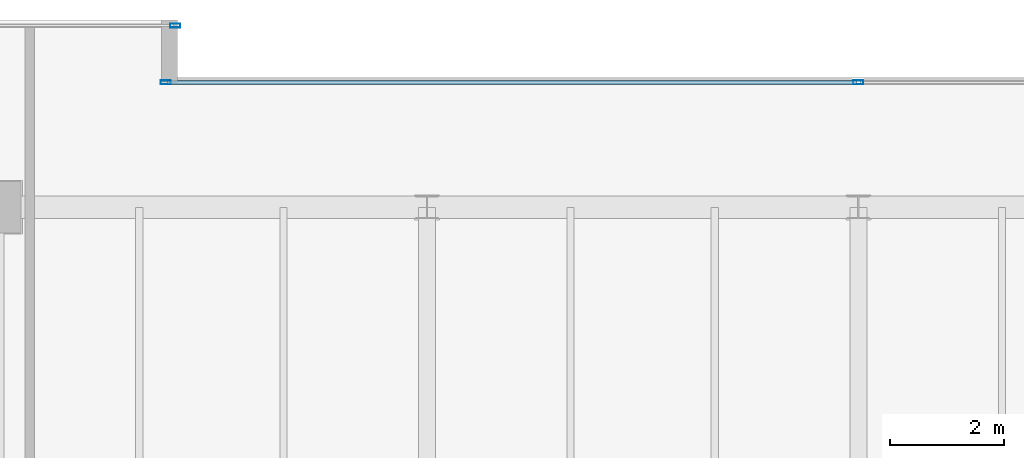
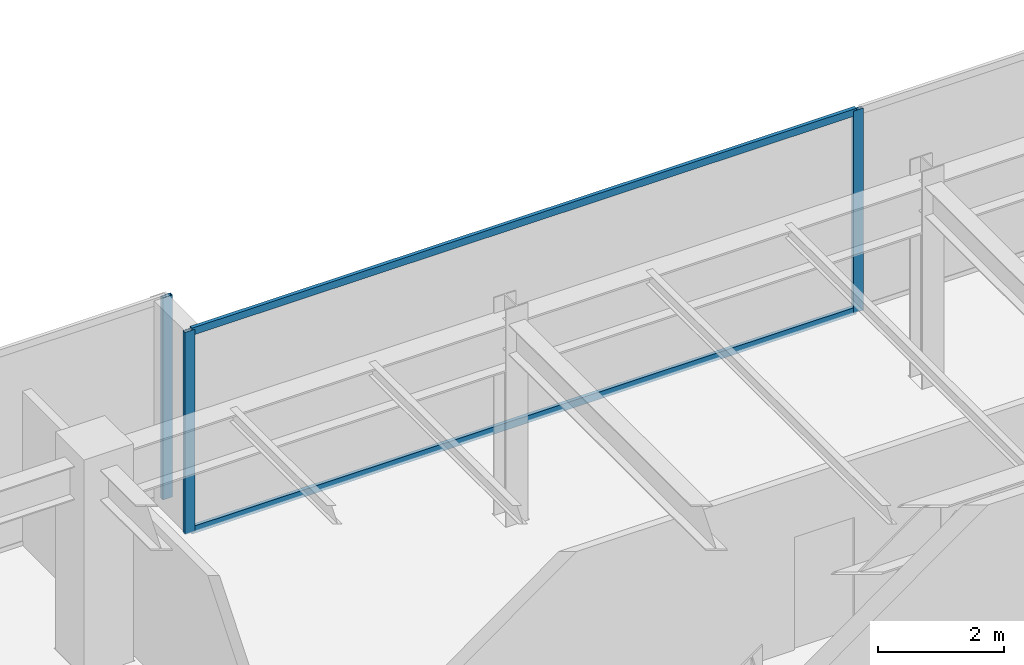
# One storey, part 21 of 32: 5 members, 2 elements without a shape of their own.
"""IFC4 building model written with IfcOpenShell, lengths in metres."""

import ifcopenshell
import ifcopenshell.guid

model = None  # the IFC model being written
_history = None  # IfcOwnerHistory: only IFC2X3 demands one
_inside = {}  # id of a spatial element -> (the spatial element, [elements in it])
_under = {}  # id of a project, library or spatial element -> (it, [spatial elements below it])
_declared = {}  # id of a project -> (the project, [libraries it declares])
_typed = {}  # id of a type object -> (the type object, [elements of that type])
_made_of = {}  # id of a material, layer set ... -> (it, [elements and type objects made of it])


def new_model(schema):
    """Start an empty IFC model of exactly this schema.

    Asked for "IFC4X3", IfcOpenShell would pick the latest addendum, in which some entities
    have other attributes; the version numbers below select the first issue.
    IFC2X3 requires an IfcOwnerHistory on every rooted entity: one is made here for all.
    """
    global model, _history
    if schema == "IFC4X3":
        model = ifcopenshell.file(schema_version=(4, 3, 0, 0))
    else:
        model = ifcopenshell.file(schema=schema)
    _inside.clear()
    _under.clear()
    _declared.clear()
    _typed.clear()
    _made_of.clear()
    _history = None
    if model.schema == "IFC2X3":
        org = make("IfcOrganization", Name="unknown")
        user = make(
            "IfcPersonAndOrganization",
            ThePerson=make("IfcPerson", FamilyName="unknown"),
            TheOrganization=org,
        )
        app = make(
            "IfcApplication",
            ApplicationDeveloper=org,
            Version="unknown",
            ApplicationFullName="unknown",
            ApplicationIdentifier="unknown",
        )
        _history = make(
            "IfcOwnerHistory",
            OwningUser=user,
            OwningApplication=app,
            ChangeAction="ADDED",
            CreationDate=0,
        )
    return model


def make(cls, **values):
    """One entity of the class cls with the attributes given. An attribute that is None is left unset."""
    return model.create_entity(
        cls, **{name: value for name, value in values.items() if value is not None}
    )


def rooted(cls, **values):
    """An entity with a GlobalId (a new one), such as an element, a storey or a relation."""
    return make(cls, GlobalId=ifcopenshell.guid.new(), OwnerHistory=_history, **values)


def si_unit(unit_type, name, prefix=None):
    """IfcSIUnit, for example si_unit("LENGTHUNIT", "METRE", prefix="MILLI")."""
    return make("IfcSIUnit", UnitType=unit_type, Prefix=prefix, Name=name)


def assignment(units):
    """IfcUnitAssignment: the units of a project."""
    return None if units is None else make("IfcUnitAssignment", Units=units)


def point(xyz):
    """IfcCartesianPoint."""
    return None if xyz is None else make("IfcCartesianPoint", Coordinates=xyz)


def direction(xyz):
    """IfcDirection."""
    return None if xyz is None else make("IfcDirection", DirectionRatios=xyz)


def frame(location, z_axis=None, x_axis=None):
    """IfcAxis2Placement3D, a coordinate frame: its origin and axes. An axis left out is left unset."""
    return make(
        "IfcAxis2Placement3D",
        Location=point(location),
        Axis=direction(z_axis),
        RefDirection=direction(x_axis),
    )


def frame_2d(location, x_axis=None):
    """IfcAxis2Placement2D, a coordinate frame in the plane: its origin and x axis."""
    return make(
        "IfcAxis2Placement2D", Location=point(location), RefDirection=direction(x_axis)
    )


def origin():
    """The frame at (0, 0, 0) with its axes left unset."""
    return frame((0.0, 0.0, 0.0))


def origin_2d():
    """The frame at (0, 0) in the plane with its x axis left unset."""
    return frame_2d((0.0, 0.0))


def place(relative_to, where):
    """IfcLocalPlacement: puts the frame where relative to a parent placement (None: the world)."""
    return make(
        "IfcLocalPlacement", PlacementRelTo=relative_to, RelativePlacement=where
    )


def context(
    kind, dimensions, precision=None, world=None, true_north=None, identifier=None
):
    """IfcGeometricRepresentationContext, for example the 3D "Model" context."""
    return make(
        "IfcGeometricRepresentationContext",
        ContextIdentifier=identifier,
        ContextType=kind,
        CoordinateSpaceDimension=dimensions,
        Precision=precision,
        WorldCoordinateSystem=world,
        TrueNorth=true_north,
    )


def subcontext(parent, identifier, kind, view, scale=None):
    """IfcGeometricRepresentationSubContext, for example "Body" below "Model"."""
    return make(
        "IfcGeometricRepresentationSubContext",
        ContextIdentifier=identifier,
        ContextType=kind,
        ParentContext=parent,
        TargetScale=scale,
        TargetView=view,
    )


def project(units=None, contexts=None):
    """IfcProject with its units and contexts."""
    return rooted(
        "IfcProject",
        Name="project",
        RepresentationContexts=contexts,
        UnitsInContext=assignment(units),
    )


def spatial(cls, under=None, at=None, **own):
    """A site, building, storey or space (cls), placed at a placement, below another one or the project."""
    s = rooted(cls, ObjectPlacement=at, **own)
    if under is not None:
        _under.setdefault(under.id(), (under, []))[1].append(s)
    return s


def profile(cls, at=None, kind="AREA", **sizes):
    """A parametric profile (cls). Its sizes go by their IFC names, for example OverallWidth=200.0."""
    return make(cls, ProfileType=kind, Position=at, **sizes)


def hollow_rectangle(**sizes):
    """IfcRectangleHollowProfileDef."""
    return profile("IfcRectangleHollowProfileDef", **sizes)


def extrude(swept, where, along, depth):
    """IfcExtrudedAreaSolid: the profile swept, set in the frame where, extruded along a direction by depth."""
    return make(
        "IfcExtrudedAreaSolid",
        SweptArea=swept,
        Position=where,
        ExtrudedDirection=direction(along),
        Depth=depth,
    )


def shape(context_of_items, identifier, shape_type, items):
    """IfcShapeRepresentation: the items that make up one representation, for example the "Body"."""
    return make(
        "IfcShapeRepresentation",
        ContextOfItems=context_of_items,
        RepresentationIdentifier=identifier,
        RepresentationType=shape_type,
        Items=items,
    )


def source(mapping_origin, context_of_items, identifier, shape_type, items):
    """IfcRepresentationMap: a shape defined once, which mapped items show again and again."""
    return make(
        "IfcRepresentationMap",
        MappingOrigin=mapping_origin,
        MappedRepresentation=shape(context_of_items, identifier, shape_type, items),
    )


def transform(
    local_origin,
    x_axis=None,
    y_axis=None,
    z_axis=None,
    scale=None,
    scale2=None,
    scale3=None,
    uniform=True,
):
    """IfcCartesianTransformationOperator3D, or its non-uniform kind. x_axis, y_axis, z_axis: its Axis1, 2, 3."""
    if uniform:
        return make(
            "IfcCartesianTransformationOperator3D",
            Axis1=direction(x_axis),
            Axis2=direction(y_axis),
            LocalOrigin=point(local_origin),
            Scale=scale,
            Axis3=direction(z_axis),
        )
    return make(
        "IfcCartesianTransformationOperator3DnonUniform",
        Axis1=direction(x_axis),
        Axis2=direction(y_axis),
        LocalOrigin=point(local_origin),
        Scale=scale,
        Axis3=direction(z_axis),
        Scale2=scale2,
        Scale3=scale3,
    )


def mapped(mapping_source, mapping_target):
    """IfcMappedItem: shows the shape of a source again, moved by a transform."""
    return make(
        "IfcMappedItem", MappingSource=mapping_source, MappingTarget=mapping_target
    )


def material(Name=None, Category=None):
    """IfcMaterial."""
    return make("IfcMaterial", Name=Name, Category=Category)


def layer(
    of_material, thickness, ventilated=None, Name=None, Category=None, Priority=None
):
    """IfcMaterialLayer: one layer of a wall or slab, of a material (None: an air gap)."""
    return make(
        "IfcMaterialLayer",
        Material=of_material,
        LayerThickness=thickness,
        IsVentilated=ventilated,
        Name=Name,
        Category=Category,
        Priority=Priority,
    )


def layer_set(layers, Name=None):
    """IfcMaterialLayerSet."""
    return make("IfcMaterialLayerSet", MaterialLayers=layers, LayerSetName=Name)


def material_profile(
    of_material, cross_section, Name=None, Category=None, Priority=None
):
    """IfcMaterialProfile: a cross section and its material."""
    return make(
        "IfcMaterialProfile",
        Name=Name,
        Material=of_material,
        Profile=cross_section,
        Priority=Priority,
        Category=Category,
    )


def profile_set(profiles, Name=None, composite=None):
    """IfcMaterialProfileSet."""
    return make(
        "IfcMaterialProfileSet",
        Name=Name,
        MaterialProfiles=profiles,
        CompositeProfile=composite,
    )


def made_of(thing, what):
    """Note that an element or type object is made of a material, layer set ...; save() writes the relation."""
    if what is not None:
        _made_of.setdefault(what.id(), (what, []))[1].append(thing)
    return thing


def type_object(cls, material=None, **own):
    """A type object (cls), such as IfcWallType, which elements share."""
    return made_of(rooted(cls, **own), material)


def type_shapes(of_type, sources):
    """Give a type object the sources (RepresentationMaps) that its elements show as mapped items."""
    of_type.RepresentationMaps = sources


def element(
    cls,
    number,
    at=None,
    inside=None,
    cuts=None,
    type_object=None,
    material=None,
    context=None,
    identifier="Body",
    shape_type=None,
    held_by="IfcProductDefinitionShape",
    body=None,
    shapes=None,
    **own,
):
    """One element of the class cls, such as IfcWall. Its Tag is "e" and its number.

    at: its placement. inside: the storey or other place that contains it. cuts: it is an
    opening in that element (IfcRelVoidsElement). A single representation is given by context,
    identifier, shape_type and body (its items); several are given by shapes. held_by: the class
    of the entity that holds the representations. save() writes the other relations.
    """
    e = rooted(cls, Tag="e%d" % number, ObjectPlacement=at, **own)
    if body is not None:
        shapes = [shape(context, identifier, shape_type, body)]
    if shapes is not None:
        e.Representation = make(held_by, Representations=shapes)
    if inside is not None:
        _inside.setdefault(inside.id(), (inside, []))[1].append(e)
    if cuts is not None:
        rooted(
            "IfcRelVoidsElement", RelatingBuildingElement=cuts, RelatedOpeningElement=e
        )
    if type_object is not None:
        _typed.setdefault(type_object.id(), (type_object, []))[1].append(e)
    return made_of(e, material)


def aggregate(whole, parts):
    """IfcRelAggregates: a whole, such as a stair, and the parts it consists of."""
    return rooted("IfcRelAggregates", RelatingObject=whole, RelatedObjects=parts)


def save(model, path):
    """Write the relations noted so far, then the file.

    IfcRelAggregates (storeys below a building ...), IfcRelContainedInSpatialStructure (elements
    in a storey), IfcRelDefinesByType, IfcRelAssociatesMaterial and IfcRelDeclares: one each for
    every whole, place, type object, material and project.
    """
    for whole, parts in _under.values():
        aggregate(whole, parts)
    for where, things in _inside.values():
        rooted(
            "IfcRelContainedInSpatialStructure",
            RelatedElements=things,
            RelatingStructure=where,
        )
    for kind, things in _typed.values():
        rooted("IfcRelDefinesByType", RelatedObjects=things, RelatingType=kind)
    for what, things in _made_of.values():
        rooted("IfcRelAssociatesMaterial", RelatedObjects=things, RelatingMaterial=what)
    for by, libraries in _declared.values():
        rooted("IfcRelDeclares", RelatingContext=by, RelatedDefinitions=libraries)
    model.write(path)


model = new_model("IFC4")

# Units and contexts
model_context = context("Model", 3, precision=1e-05, world=origin(), true_north=direction((0.0, 1.0)))
body_context = subcontext(model_context, "Body", "Model", "MODEL_VIEW")
ifc_project = project(units=[si_unit("LENGTHUNIT", "METRE"), si_unit("AREAUNIT", "SQUARE_METRE"), si_unit("VOLUMEUNIT", "CUBIC_METRE"), si_unit("PLANEANGLEUNIT", "RADIAN"), si_unit("MASSUNIT", "GRAM", prefix="KILO")], contexts=[model_context])

# Site, building, storey
site_placement = place(None, origin())
site = spatial("IfcSite", under=ifc_project, at=site_placement, CompositionType="ELEMENT")
building_placement = place(site_placement, origin())
building = spatial("IfcBuilding", under=site, at=building_placement, Name="Haelvirn Gate Laboratories", CompositionType="ELEMENT")
storey_placement = place(building_placement, frame((0.0, 0.0, 314.39990234375)))
storey = spatial("IfcBuildingStorey", under=building, at=storey_placement, Name="L75", CompositionType="ELEMENT", Elevation=314.39990234375)

# Curtain wall, members
ifc_material_1 = material(Name="Anodised bronze unitised aluminium & triple low-E glass", Category="aluminium")
ifc_layer = layer(ifc_material_1, 0.176025390625, Name="CW-SYS-4")
ifc_layer_set = layer_set([ifc_layer], Name="Anodised bronze unitised aluminium & triple low-E glass")
curtain_wall_type = type_object("IfcCurtainWallType", Name="CW-SYS-4", PredefinedType="NOTDEFINED", material=ifc_layer_set)
curtain_wall_1_placement = place(storey_placement, origin())
curtain_wall_1 = element("IfcCurtainWall", 1, at=curtain_wall_1_placement, inside=storey, type_object=curtain_wall_type, Name="L75 Unitised Curtain Wall CW-L75-P0-E12-1", PredefinedType="NOTDEFINED")
ifc_material_2 = material(Name="Extruded aluminium 6063-T6 (anodised bronze)", Category="aluminium")
ifc_material_profile_1 = material_profile(ifc_material_2, hollow_rectangle(XDim=0.06494140625, YDim=0.139892578125, WallThickness=0.00390625, at=origin_2d()), Name="CWT-140x65x4")
ifc_profile_set_1 = profile_set([ifc_material_profile_1], Name="Extruded aluminium 6063-T6 (anodised bronze)")
member_type_1 = type_object("IfcMemberType", Name="CWT-T140", PredefinedType="USERDEFINED", material=ifc_profile_set_1)
shared_shape_1 = source(origin(), body_context, "Body", "SweptSolid", [
    extrude(hollow_rectangle(XDim=0.06494140625, YDim=0.139892578125, WallThickness=0.00390625, at=origin_2d()), origin(), (0.0, 0.0, 1.0), 12.135009765625),
])
type_shapes(member_type_1, [shared_shape_1])
member_1_placement = place(storey_placement, frame((25.22998046875, 43.800048828125, 0.03271484375), z_axis=(1.0, 0.0, 0.0), x_axis=(0.0, 1.0, 0.0)))
member_1 = element("IfcMember", 2, at=member_1_placement, type_object=member_type_1, Name="CW4 transom 1.1", ObjectType="TRANSOM", PredefinedType="USERDEFINED", context=body_context, shape_type="MappedRepresentation", body=[
    mapped(shared_shape_1, transform((0.0, 0.0, 0.0), scale=1.0)),
])
member_2_placement = place(storey_placement, frame((25.22998046875, 43.800048828125, 3.86767578125), z_axis=(1.0, 0.0, 0.0), x_axis=(0.0, 1.0, 0.0)))
member_2 = element("IfcMember", 3, at=member_2_placement, type_object=member_type_1, Name="CW4 transom 1.2", ObjectType="TRANSOM", PredefinedType="USERDEFINED", context=body_context, shape_type="MappedRepresentation", body=[
    mapped(shared_shape_1, transform((0.0, 0.0, 0.0), scale=1.0)),
])
ifc_material_profile_2 = material_profile(ifc_material_2, hollow_rectangle(XDim=0.070068359375, YDim=0.179931640625, WallThickness=0.0048828125, at=origin_2d()), Name="CWM-180x70x5")
ifc_profile_set_2 = profile_set([ifc_material_profile_2], Name="Extruded aluminium 6063-T6 (anodised bronze)")
member_type_2 = type_object("IfcMemberType", Name="CWM-T180", PredefinedType="MULLION", material=ifc_profile_set_2)
shared_shape_2 = source(origin(), body_context, "Body", "SweptSolid", [
    extrude(hollow_rectangle(XDim=0.070068359375, YDim=0.179931640625, WallThickness=0.0048828125, at=origin_2d()), origin(), (0.0, 0.0, 1.0), 3.900146484375),
])
type_shapes(member_type_2, [shared_shape_2])
member_3_placement = place(storey_placement, frame((25.195068359375, 43.800048828125, 0.0), z_axis=(0.0, 0.0, 1.0), x_axis=(0.0, 1.0, 0.0)))
member_3 = element("IfcMember", 4, at=member_3_placement, type_object=member_type_2, Name="CW4 mullion 1", PredefinedType="MULLION", context=body_context, shape_type="MappedRepresentation", body=[
    mapped(shared_shape_2, transform((0.0, 0.0, 0.0), scale=1.0)),
])
member_4_placement = place(storey_placement, frame((37.39990234375, 43.800048828125, 0.0), z_axis=(0.0, 0.0, 1.0), x_axis=(0.0, 1.0, 0.0)))
member_4 = element("IfcMember", 5, at=member_4_placement, type_object=member_type_2, Name="CW4 mullion 2", PredefinedType="MULLION", context=body_context, shape_type="MappedRepresentation", body=[
    mapped(shared_shape_2, transform((0.0, 0.0, 0.0), scale=1.0)),
])
aggregate(curtain_wall_1, [member_3, member_4, member_1, member_2])

# Curtain wall, member
curtain_wall_2_placement = place(storey_placement, origin())
curtain_wall_2 = element("IfcCurtainWall", 6, at=curtain_wall_2_placement, inside=storey, type_object=curtain_wall_type, Name="L75 Unitised Curtain Wall CW-L75-P0-E14-1", PredefinedType="NOTDEFINED")
member_5_placement = place(storey_placement, frame((25.364990234375, 44.800048828125, 0.0), z_axis=(0.0, 0.0, 1.0), x_axis=(0.0, 1.0, 0.0)))
member_5 = element("IfcMember", 7, at=member_5_placement, type_object=member_type_2, Name="CW4 mullion 3", PredefinedType="MULLION", context=body_context, shape_type="MappedRepresentation", body=[
    mapped(shared_shape_2, transform((0.0, 0.0, 0.0), scale=1.0)),
])
aggregate(curtain_wall_2, [member_5])

save(model, "model.ifc")
